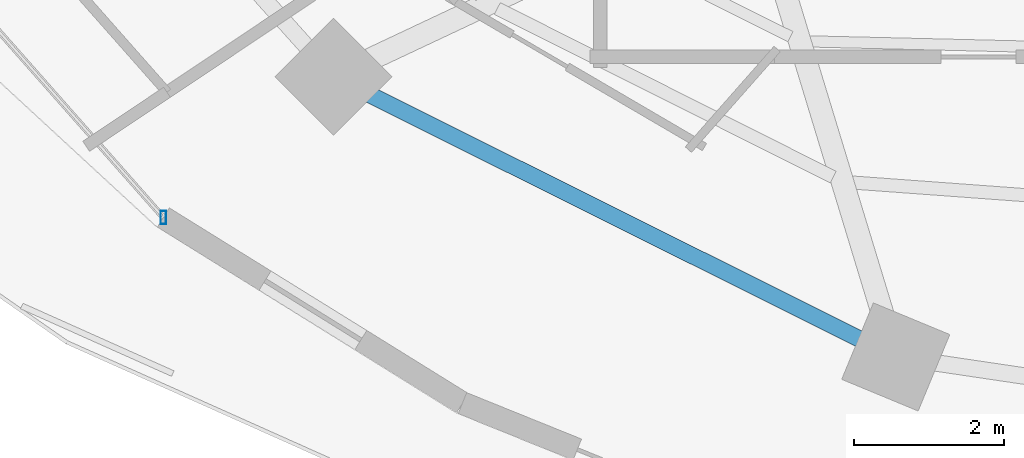
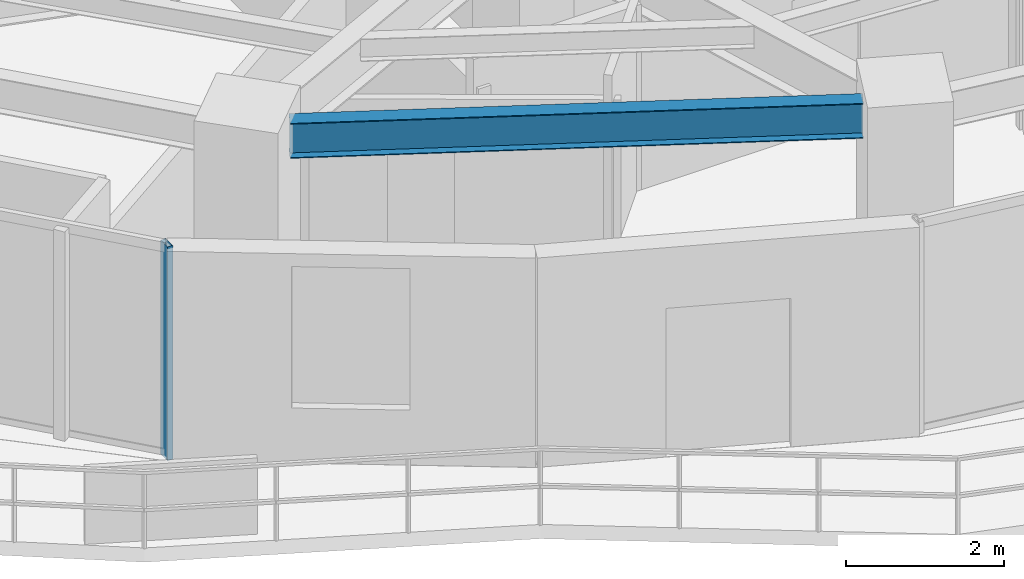
# One storey, part 2 of 29: 1 beam, 1 member, 1 element without a shape of its own.
"""IFC4 building model written with IfcOpenShell, lengths in metres."""

from ifc_helpers import new_model, si_unit, direction, frame, origin, origin_2d, place, context, subcontext, project, spatial, hollow_rectangle, i_section, extrude, material, material_profile, profile_set, type_object, element, aggregate, save


model = new_model("IFC4")

# Units and contexts
model_context = context("Model", 3, precision=1e-05, world=origin(), true_north=direction((0.0, 1.0)))
body_context = subcontext(model_context, "Body", "Model", "MODEL_VIEW")
ifc_project = project(units=[si_unit("LENGTHUNIT", "METRE"), si_unit("AREAUNIT", "SQUARE_METRE"), si_unit("VOLUMEUNIT", "CUBIC_METRE"), si_unit("PLANEANGLEUNIT", "RADIAN"), si_unit("MASSUNIT", "GRAM", prefix="KILO")], contexts=[model_context])

# Site, building, storey
site_placement = place(None, origin())
site = spatial("IfcSite", under=ifc_project, at=site_placement, CompositionType="ELEMENT")
building_placement = place(site_placement, origin())
building = spatial("IfcBuilding", under=site, at=building_placement, Name="Vorneva Point Tower", CompositionType="ELEMENT")
storey_placement = place(building_placement, frame((0.0, 0.0, 82.300048828125)))
storey = spatial("IfcBuildingStorey", under=building, at=storey_placement, Name="L21", CompositionType="ELEMENT", Elevation=82.300048828125)

# Beam
ifc_material_1 = material(Name="Steel S355", Category="steel")
ifc_material_profile_1 = material_profile(ifc_material_1, i_section(OverallWidth=0.219970703125, OverallDepth=0.54296875, WebThickness=0.009521484375, FlangeThickness=0.013427734375, at=origin_2d()), Name="55B1")
ifc_profile_set_1 = profile_set([ifc_material_profile_1], Name="Steel S355")
beam_type = type_object("IfcBeamType", Name="BM-SPN-55B1", PredefinedType="SPANDREL", material=ifc_profile_set_1)
beam_placement = place(storey_placement, frame((22.179931640625, 13.59912109375, 2.968505859375), z_axis=(0.894915882304, -0.446234874926, 0.0), x_axis=(0.446234874926, 0.894915882304, 0.0)))
element("IfcBeam", 1, at=beam_placement, inside=storey, type_object=beam_type, Name="L21 Perimeter Spandrel Ring Beam 11", PredefinedType="SPANDREL", context=body_context, shape_type="SweptSolid", body=[
    extrude(i_section(OverallWidth=0.219970703125, OverallDepth=0.54296875, WebThickness=0.009521484375, FlangeThickness=0.013427734375, at=origin_2d()), origin(), (0.0, 0.0, 1.0), 7.285888671875),
])

# Curtain wall, member
ifc_material_2 = material(Name="Pale anodised aluminium", Category="aluminium")
curtain_wall_type = type_object("IfcCurtainWallType", Name="CW-HTL-SYS", PredefinedType="NOTDEFINED", material=ifc_material_2)
curtain_wall_placement = place(storey_placement, origin())
curtain_wall = element("IfcCurtainWall", 2, at=curtain_wall_placement, inside=storey, type_object=curtain_wall_type, Name="L21 Unitised Curtain Wall CW-L21-R02", PredefinedType="NOTDEFINED")
ifc_material_profile_2 = material_profile(ifc_material_2, hollow_rectangle(XDim=0.074951171875, YDim=0.179931640625, WallThickness=0.00390625, at=origin_2d()), Name="AL-MUL 180x75x4")
ifc_profile_set_2 = profile_set([ifc_material_profile_2], Name="Pale anodised aluminium")
member_type = type_object("IfcMemberType", Name="CW-MUL-180", PredefinedType="MULLION", material=ifc_profile_set_2)
member_placement = place(storey_placement, frame((19.4384765625, 11.9638671875, -0.0400390625), z_axis=(0.0, 0.0, 1.0), x_axis=(1.0, 0.0, 0.0)))
member = element("IfcMember", 3, at=member_placement, type_object=member_type, Name="CW-L21-R02 Mullion 05", PredefinedType="MULLION", context=body_context, shape_type="SweptSolid", body=[
    extrude(hollow_rectangle(XDim=0.074951171875, YDim=0.179931640625, WallThickness=0.00390625, at=origin_2d()), origin(), (0.0, 0.0, 1.0), 3.31005859375),
])
aggregate(curtain_wall, [member])

save(model, "model.ifc")
